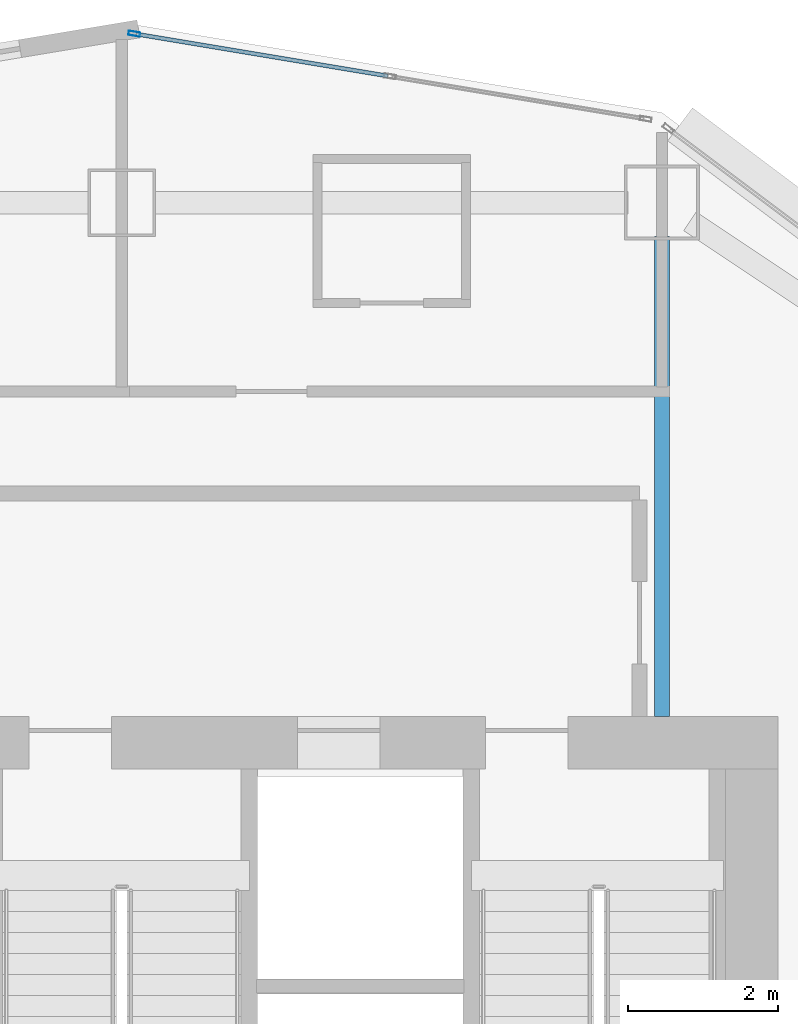
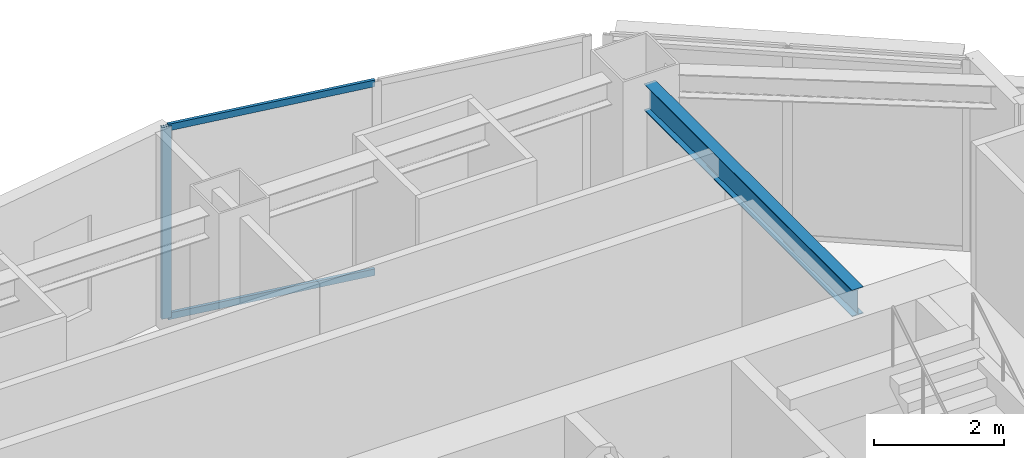
# One storey, part 2 of 14: 3 members, 1 beam, 1 element without a shape of its own.
"""IFC4 building model written with IfcOpenShell, lengths in metres."""

import ifcopenshell
import ifcopenshell.guid

model = None  # the IFC model being written
_history = None  # IfcOwnerHistory: only IFC2X3 demands one
_inside = {}  # id of a spatial element -> (the spatial element, [elements in it])
_under = {}  # id of a project, library or spatial element -> (it, [spatial elements below it])
_declared = {}  # id of a project -> (the project, [libraries it declares])
_typed = {}  # id of a type object -> (the type object, [elements of that type])
_made_of = {}  # id of a material, layer set ... -> (it, [elements and type objects made of it])


def new_model(schema):
    """Start an empty IFC model of exactly this schema.

    Asked for "IFC4X3", IfcOpenShell would pick the latest addendum, in which some entities
    have other attributes; the version numbers below select the first issue.
    IFC2X3 requires an IfcOwnerHistory on every rooted entity: one is made here for all.
    """
    global model, _history
    if schema == "IFC4X3":
        model = ifcopenshell.file(schema_version=(4, 3, 0, 0))
    else:
        model = ifcopenshell.file(schema=schema)
    _inside.clear()
    _under.clear()
    _declared.clear()
    _typed.clear()
    _made_of.clear()
    _history = None
    if model.schema == "IFC2X3":
        org = make("IfcOrganization", Name="unknown")
        user = make(
            "IfcPersonAndOrganization",
            ThePerson=make("IfcPerson", FamilyName="unknown"),
            TheOrganization=org,
        )
        app = make(
            "IfcApplication",
            ApplicationDeveloper=org,
            Version="unknown",
            ApplicationFullName="unknown",
            ApplicationIdentifier="unknown",
        )
        _history = make(
            "IfcOwnerHistory",
            OwningUser=user,
            OwningApplication=app,
            ChangeAction="ADDED",
            CreationDate=0,
        )
    return model


def make(cls, **values):
    """One entity of the class cls with the attributes given. An attribute that is None is left unset."""
    return model.create_entity(
        cls, **{name: value for name, value in values.items() if value is not None}
    )


def rooted(cls, **values):
    """An entity with a GlobalId (a new one), such as an element, a storey or a relation."""
    return make(cls, GlobalId=ifcopenshell.guid.new(), OwnerHistory=_history, **values)


def si_unit(unit_type, name, prefix=None):
    """IfcSIUnit, for example si_unit("LENGTHUNIT", "METRE", prefix="MILLI")."""
    return make("IfcSIUnit", UnitType=unit_type, Prefix=prefix, Name=name)


def assignment(units):
    """IfcUnitAssignment: the units of a project."""
    return None if units is None else make("IfcUnitAssignment", Units=units)


def point(xyz):
    """IfcCartesianPoint."""
    return None if xyz is None else make("IfcCartesianPoint", Coordinates=xyz)


def direction(xyz):
    """IfcDirection."""
    return None if xyz is None else make("IfcDirection", DirectionRatios=xyz)


def frame(location, z_axis=None, x_axis=None):
    """IfcAxis2Placement3D, a coordinate frame: its origin and axes. An axis left out is left unset."""
    return make(
        "IfcAxis2Placement3D",
        Location=point(location),
        Axis=direction(z_axis),
        RefDirection=direction(x_axis),
    )


def frame_2d(location, x_axis=None):
    """IfcAxis2Placement2D, a coordinate frame in the plane: its origin and x axis."""
    return make(
        "IfcAxis2Placement2D", Location=point(location), RefDirection=direction(x_axis)
    )


def origin():
    """The frame at (0, 0, 0) with its axes left unset."""
    return frame((0.0, 0.0, 0.0))


def origin_2d():
    """The frame at (0, 0) in the plane with its x axis left unset."""
    return frame_2d((0.0, 0.0))


def place(relative_to, where):
    """IfcLocalPlacement: puts the frame where relative to a parent placement (None: the world)."""
    return make(
        "IfcLocalPlacement", PlacementRelTo=relative_to, RelativePlacement=where
    )


def context(
    kind, dimensions, precision=None, world=None, true_north=None, identifier=None
):
    """IfcGeometricRepresentationContext, for example the 3D "Model" context."""
    return make(
        "IfcGeometricRepresentationContext",
        ContextIdentifier=identifier,
        ContextType=kind,
        CoordinateSpaceDimension=dimensions,
        Precision=precision,
        WorldCoordinateSystem=world,
        TrueNorth=true_north,
    )


def subcontext(parent, identifier, kind, view, scale=None):
    """IfcGeometricRepresentationSubContext, for example "Body" below "Model"."""
    return make(
        "IfcGeometricRepresentationSubContext",
        ContextIdentifier=identifier,
        ContextType=kind,
        ParentContext=parent,
        TargetScale=scale,
        TargetView=view,
    )


def project(units=None, contexts=None):
    """IfcProject with its units and contexts."""
    return rooted(
        "IfcProject",
        Name="project",
        RepresentationContexts=contexts,
        UnitsInContext=assignment(units),
    )


def spatial(cls, under=None, at=None, **own):
    """A site, building, storey or space (cls), placed at a placement, below another one or the project."""
    s = rooted(cls, ObjectPlacement=at, **own)
    if under is not None:
        _under.setdefault(under.id(), (under, []))[1].append(s)
    return s


def profile(cls, at=None, kind="AREA", **sizes):
    """A parametric profile (cls). Its sizes go by their IFC names, for example OverallWidth=200.0."""
    return make(cls, ProfileType=kind, Position=at, **sizes)


def hollow_rectangle(**sizes):
    """IfcRectangleHollowProfileDef."""
    return profile("IfcRectangleHollowProfileDef", **sizes)


def i_section(**sizes):
    """IfcIShapeProfileDef."""
    return profile("IfcIShapeProfileDef", **sizes)


def extrude(swept, where, along, depth):
    """IfcExtrudedAreaSolid: the profile swept, set in the frame where, extruded along a direction by depth."""
    return make(
        "IfcExtrudedAreaSolid",
        SweptArea=swept,
        Position=where,
        ExtrudedDirection=direction(along),
        Depth=depth,
    )


def shape(context_of_items, identifier, shape_type, items):
    """IfcShapeRepresentation: the items that make up one representation, for example the "Body"."""
    return make(
        "IfcShapeRepresentation",
        ContextOfItems=context_of_items,
        RepresentationIdentifier=identifier,
        RepresentationType=shape_type,
        Items=items,
    )


def material(Name=None, Category=None):
    """IfcMaterial."""
    return make("IfcMaterial", Name=Name, Category=Category)


def layer(
    of_material, thickness, ventilated=None, Name=None, Category=None, Priority=None
):
    """IfcMaterialLayer: one layer of a wall or slab, of a material (None: an air gap)."""
    return make(
        "IfcMaterialLayer",
        Material=of_material,
        LayerThickness=thickness,
        IsVentilated=ventilated,
        Name=Name,
        Category=Category,
        Priority=Priority,
    )


def layer_set(layers, Name=None):
    """IfcMaterialLayerSet."""
    return make("IfcMaterialLayerSet", MaterialLayers=layers, LayerSetName=Name)


def material_profile(
    of_material, cross_section, Name=None, Category=None, Priority=None
):
    """IfcMaterialProfile: a cross section and its material."""
    return make(
        "IfcMaterialProfile",
        Name=Name,
        Material=of_material,
        Profile=cross_section,
        Priority=Priority,
        Category=Category,
    )


def profile_set(profiles, Name=None, composite=None):
    """IfcMaterialProfileSet."""
    return make(
        "IfcMaterialProfileSet",
        Name=Name,
        MaterialProfiles=profiles,
        CompositeProfile=composite,
    )


def made_of(thing, what):
    """Note that an element or type object is made of a material, layer set ...; save() writes the relation."""
    if what is not None:
        _made_of.setdefault(what.id(), (what, []))[1].append(thing)
    return thing


def type_object(cls, material=None, **own):
    """A type object (cls), such as IfcWallType, which elements share."""
    return made_of(rooted(cls, **own), material)


def element(
    cls,
    number,
    at=None,
    inside=None,
    cuts=None,
    type_object=None,
    material=None,
    context=None,
    identifier="Body",
    shape_type=None,
    held_by="IfcProductDefinitionShape",
    body=None,
    shapes=None,
    **own,
):
    """One element of the class cls, such as IfcWall. Its Tag is "e" and its number.

    at: its placement. inside: the storey or other place that contains it. cuts: it is an
    opening in that element (IfcRelVoidsElement). A single representation is given by context,
    identifier, shape_type and body (its items); several are given by shapes. held_by: the class
    of the entity that holds the representations. save() writes the other relations.
    """
    e = rooted(cls, Tag="e%d" % number, ObjectPlacement=at, **own)
    if body is not None:
        shapes = [shape(context, identifier, shape_type, body)]
    if shapes is not None:
        e.Representation = make(held_by, Representations=shapes)
    if inside is not None:
        _inside.setdefault(inside.id(), (inside, []))[1].append(e)
    if cuts is not None:
        rooted(
            "IfcRelVoidsElement", RelatingBuildingElement=cuts, RelatedOpeningElement=e
        )
    if type_object is not None:
        _typed.setdefault(type_object.id(), (type_object, []))[1].append(e)
    return made_of(e, material)


def aggregate(whole, parts):
    """IfcRelAggregates: a whole, such as a stair, and the parts it consists of."""
    return rooted("IfcRelAggregates", RelatingObject=whole, RelatedObjects=parts)


def save(model, path):
    """Write the relations noted so far, then the file.

    IfcRelAggregates (storeys below a building ...), IfcRelContainedInSpatialStructure (elements
    in a storey), IfcRelDefinesByType, IfcRelAssociatesMaterial and IfcRelDeclares: one each for
    every whole, place, type object, material and project.
    """
    for whole, parts in _under.values():
        aggregate(whole, parts)
    for where, things in _inside.values():
        rooted(
            "IfcRelContainedInSpatialStructure",
            RelatedElements=things,
            RelatingStructure=where,
        )
    for kind, things in _typed.values():
        rooted("IfcRelDefinesByType", RelatedObjects=things, RelatingType=kind)
    for what, things in _made_of.values():
        rooted("IfcRelAssociatesMaterial", RelatedObjects=things, RelatingMaterial=what)
    for by, libraries in _declared.values():
        rooted("IfcRelDeclares", RelatingContext=by, RelatedDefinitions=libraries)
    model.write(path)


model = new_model("IFC4")

# Units and contexts
model_context = context("Model", 3, precision=1e-05, world=origin(), true_north=direction((0.0, 1.0)))
body_context = subcontext(model_context, "Body", "Model", "MODEL_VIEW")
ifc_project = project(units=[si_unit("LENGTHUNIT", "METRE"), si_unit("AREAUNIT", "SQUARE_METRE"), si_unit("VOLUMEUNIT", "CUBIC_METRE"), si_unit("PLANEANGLEUNIT", "RADIAN"), si_unit("MASSUNIT", "GRAM", prefix="KILO")], contexts=[model_context])

# Site, building, storey
site_placement = place(None, origin())
site = spatial("IfcSite", under=ifc_project, at=site_placement, CompositionType="ELEMENT")
building_placement = place(site_placement, origin())
building = spatial("IfcBuilding", under=site, at=building_placement, Name="Haolan Belvedere Tower", CompositionType="ELEMENT")
storey_placement = place(building_placement, frame((0.0, 0.0, 148.60009765625)))
storey = spatial("IfcBuildingStorey", under=building, at=storey_placement, Name="L37", CompositionType="ELEMENT", Elevation=148.60009765625)

# Beam
ifc_material_1 = material(Name="Steel Q355B", Category="steel")
ifc_material_profile_1 = material_profile(ifc_material_1, i_section(OverallWidth=0.199951171875, OverallDepth=0.5, WebThickness=0.010009765625, FlangeThickness=0.01611328125, FilletRadius=0.02001953125, at=origin_2d()), Name="Steel Q355B")
ifc_profile_set_1 = profile_set([ifc_material_profile_1], Name="Steel Q355B")
beam_type = type_object("IfcBeamType", Name="BM-HN500x200x10x16", PredefinedType="BEAM", material=ifc_profile_set_1)
beam_placement = place(storey_placement, frame((45.60009765625, 49.949951171875, 3.349853515625), z_axis=(0.0, -1.0, 0.0), x_axis=(1.0, 0.0, 0.0)))
element("IfcBeam", 1, at=beam_placement, inside=storey, type_object=beam_type, Name="L37 core tie beam from MC-T3-N2", PredefinedType="BEAM", context=body_context, shape_type="SweptSolid", body=[
    extrude(i_section(OverallWidth=0.199951171875, OverallDepth=0.5, WebThickness=0.010009765625, FlangeThickness=0.01611328125, FilletRadius=0.02001953125, at=origin_2d()), origin(), (0.0, 0.0, 1.0), 6.39990234375),
])

# Curtain wall, members
ifc_material_2 = material(Name="Anodised champagne-silver aluminium 6063-T6 and Low-E glass", Category="aluminium")
ifc_layer = layer(ifc_material_2, 0.155029296875, Name="Anodised champagne-silver aluminium 6063-T6 and Low-E glass")
ifc_layer_set = layer_set([ifc_layer], Name="Anodised champagne-silver aluminium 6063-T6 and Low-E glass")
curtain_wall_type = type_object("IfcCurtainWallType", Name="CW-SYS-03", PredefinedType="NOTDEFINED", material=ifc_layer_set)
curtain_wall_placement = place(storey_placement, origin())
curtain_wall = element("IfcCurtainWall", 2, at=curtain_wall_placement, inside=storey, type_object=curtain_wall_type, Name="L37 CW-SYS-03 ribbon curtain wall 27.1", PredefinedType="NOTDEFINED")
ifc_material_3 = material(Name="Anodised aluminium 6063-T6", Category="aluminium")
ifc_material_profile_2 = material_profile(ifc_material_3, hollow_rectangle(XDim=0.05810546875, YDim=0.155029296875, WallThickness=0.00390625, at=origin_2d()), Name="Anodised aluminium 6063-T6")
ifc_profile_set_2 = profile_set([ifc_material_profile_2], Name="Anodised aluminium 6063-T6")
member_type_1 = type_object("IfcMemberType", Name="CW-SYS-03-MUL", PredefinedType="MULLION", material=ifc_profile_set_2)
member_1_placement = place(storey_placement, frame((38.566650390625, 52.650634765625, 0.0), z_axis=(0.0, 0.0, 1.0), x_axis=(-0.16440364043, -0.9863931483, 0.0)))
member_1 = element("IfcMember", 3, at=member_1_placement, type_object=member_type_1, Name="CW-03 mullion 3", PredefinedType="MULLION", context=body_context, shape_type="SweptSolid", body=[
    extrude(hollow_rectangle(XDim=0.05810546875, YDim=0.155029296875, WallThickness=0.00390625, at=origin_2d()), origin(), (0.0, 0.0, 1.0), 3.599853515625),
])
ifc_material_profile_3 = material_profile(ifc_material_3, hollow_rectangle(XDim=0.053955078125, YDim=0.125, WallThickness=0.00390625, at=origin_2d()), Name="Anodised aluminium 6063-T6")
ifc_profile_set_3 = profile_set([ifc_material_profile_3], Name="Anodised aluminium 6063-T6")
member_type_2 = type_object("IfcMemberType", Name="CW-SYS-03-TRN", PredefinedType="USERDEFINED", material=ifc_profile_set_3)
member_2_placement = place(storey_placement, frame((41.947021484375, 52.087158203125, 0.02685546875), z_axis=(-0.986395865591, 0.16438733633, 0.0), x_axis=(-0.16438733633, -0.986395865591, 0.0)))
member_2 = element("IfcMember", 4, at=member_2_placement, type_object=member_type_2, Name="CW-03 transom 2.1", ObjectType="TRANSOM", PredefinedType="USERDEFINED", context=body_context, shape_type="SweptSolid", body=[
    extrude(hollow_rectangle(XDim=0.053955078125, YDim=0.125, WallThickness=0.00390625, at=origin_2d()), origin(), (0.0, 0.0, 1.0), 3.39794921875),
])
member_3_placement = place(storey_placement, frame((41.947021484375, 52.087158203125, 3.572998046875), z_axis=(-0.986395865591, 0.16438733633, 0.0), x_axis=(-0.16438733633, -0.986395865591, 0.0)))
member_3 = element("IfcMember", 5, at=member_3_placement, type_object=member_type_2, Name="CW-03 transom 2.2", ObjectType="TRANSOM", PredefinedType="USERDEFINED", context=body_context, shape_type="SweptSolid", body=[
    extrude(hollow_rectangle(XDim=0.053955078125, YDim=0.125, WallThickness=0.00390625, at=origin_2d()), origin(), (0.0, 0.0, 1.0), 3.39794921875),
])
aggregate(curtain_wall, [member_1, member_2, member_3])

save(model, "model.ifc")
